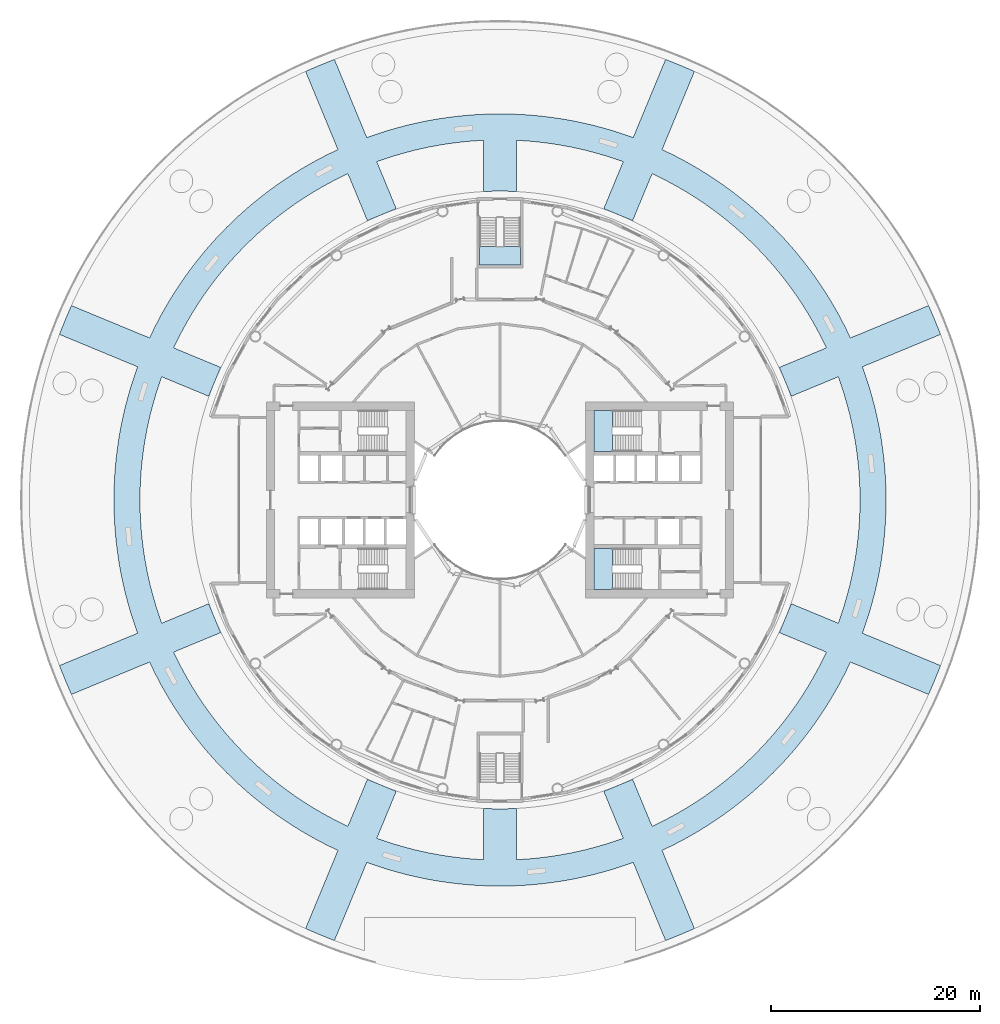
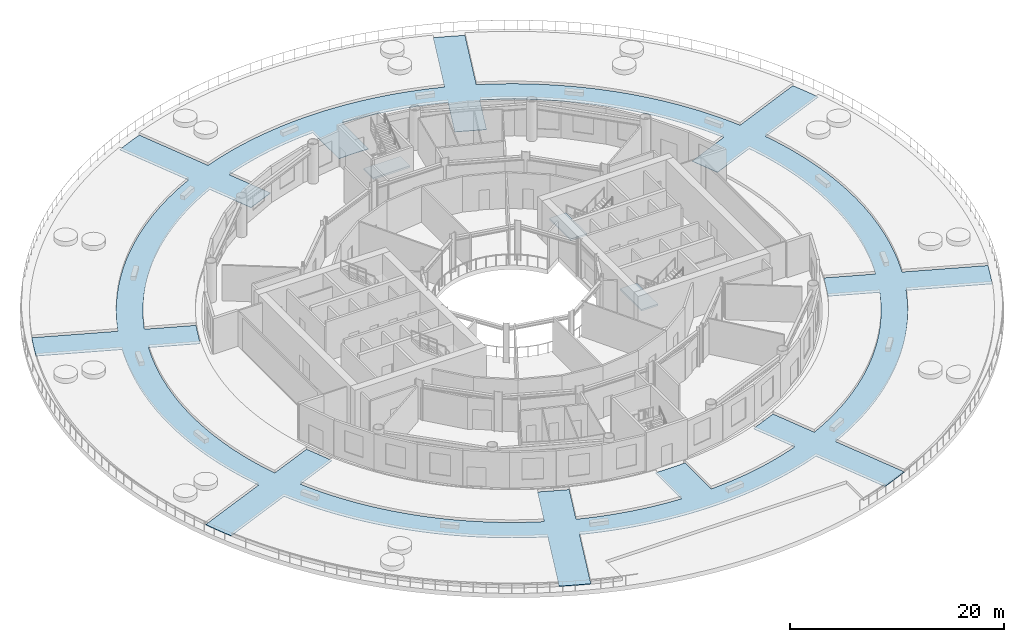
# One storey, part 6 of 19: 4 slabs, 3 elements without a shape of their own.
"""IFC4 building model written with IfcOpenShell, lengths in metres."""

from ifc_helpers import new_model, si_unit, direction, frame, origin, place, context, subcontext, project, spatial, polyline, outline, extrude, material, layer, layer_set, type_object, element, aggregate, save


model = new_model("IFC4")

# Units and contexts
model_context = context("Model", 3, precision=1e-05, world=origin(), true_north=direction((0.0, 1.0)))
body_context = subcontext(model_context, "Body", "Model", "MODEL_VIEW")
ifc_project = project(units=[si_unit("LENGTHUNIT", "METRE"), si_unit("AREAUNIT", "SQUARE_METRE"), si_unit("VOLUMEUNIT", "CUBIC_METRE"), si_unit("PLANEANGLEUNIT", "RADIAN"), si_unit("MASSUNIT", "GRAM", prefix="KILO")], contexts=[model_context])

# Site, building, storey
site_placement = place(None, origin())
site = spatial("IfcSite", under=ifc_project, at=site_placement, CompositionType="ELEMENT")
building_placement = place(site_placement, origin())
building = spatial("IfcBuilding", under=site, at=building_placement, Name="Maasbend Ring Residences", CompositionType="ELEMENT")
storey_placement = place(building_placement, frame((0.0, 0.0, 9.60009765625)))
storey = spatial("IfcBuildingStorey", under=building, at=storey_placement, Name="L02", CompositionType="ELEMENT", Elevation=9.60009765625)

# Stair, slab
ifc_material_1 = material(Name="Concrete C40/50", Category="concrete")
stair_type = type_object("IfcStairType", Name="CORE STAIR 24 RISERS", PredefinedType="HALF_TURN_STAIR", material=ifc_material_1)
stair_1_placement = place(storey_placement, origin())
stair_1 = element("IfcStair", 1, at=stair_1_placement, inside=storey, type_object=stair_type, Name="L02 Exit stair ST-E1", PredefinedType="HALF_TURN_STAIR")
ifc_material_2 = material(Name="Concrete C40/50", Category="concrete")
ifc_layer_1 = layer(ifc_material_2, 0.199951171875)
ifc_layer_set_1 = layer_set([ifc_layer_1], Name="Concrete C40/50")
slab_type_1 = type_object("IfcSlabType", Name="CORE STAIR LANDING 200", PredefinedType="LANDING", material=ifc_layer_set_1)
slab_1_placement = place(storey_placement, frame((0.0, 0.0, 2.0498046875)))
slab_1 = element("IfcSlab", 2, at=slab_1_placement, type_object=slab_type_1, Name="ST-E1 landing 1", PredefinedType="LANDING", context=body_context, shape_type="SweptSolid", body=[
    extrude(outline(polyline([(10.800048828125, 8.60009765625), (9.0, 8.60009765625), (9.0, 4.64990234375), (10.800048828125, 4.64990234375), (10.800048828125, 8.60009765625)])), origin(), (0.0, 0.0, 1.0), 0.2001953125),
])
aggregate(stair_1, [slab_1])

stair_2_placement = place(storey_placement, origin())
stair_2 = element("IfcStair", 3, at=stair_2_placement, inside=storey, type_object=stair_type, Name="L02 Exit stair ST-E2", PredefinedType="HALF_TURN_STAIR")
slab_2_placement = place(storey_placement, frame((0.0, 0.0, 2.0498046875)))
slab_2 = element("IfcSlab", 4, at=slab_2_placement, type_object=slab_type_1, Name="ST-E2 landing 1", PredefinedType="LANDING", context=body_context, shape_type="SweptSolid", body=[
    extrude(outline(polyline([(10.800048828125, -4.64990234375), (9.0, -4.64990234375), (9.0, -8.60009765625), (10.800048828125, -8.60009765625), (10.800048828125, -4.64990234375)])), origin(), (0.0, 0.0, 1.0), 0.2001953125),
])
aggregate(stair_2, [slab_2])

stair_3_placement = place(storey_placement, origin())
stair_3 = element("IfcStair", 5, at=stair_3_placement, inside=storey, type_object=stair_type, Name="L02 Exit stair ST-P4", PredefinedType="HALF_TURN_STAIR")
slab_3_placement = place(storey_placement, frame((0.0, 0.0, 2.0498046875)))
slab_3 = element("IfcSlab", 6, at=slab_3_placement, type_object=slab_type_1, Name="ST-P4 landing 1", PredefinedType="LANDING", context=body_context, shape_type="SweptSolid", body=[
    extrude(outline(polyline([(-1.97509765625, 24.300048828125), (-1.97509765625, 22.5), (1.97509765625, 22.5), (1.97509765625, 24.300048828125), (-1.97509765625, 24.300048828125)])), origin(), (0.0, 0.0, 1.0), 0.2001953125),
])
aggregate(stair_3, [slab_3])

# Slab
ifc_material_3 = material(Name="Pale granite paving", Category="masonry")
ifc_layer_2 = layer(ifc_material_3, 0.050048828125)
ifc_layer_set_2 = layer_set([ifc_layer_2], Name="PAVING-DECK")
slab_type_2 = type_object("IfcSlabType", Name="PAVING-DECK", PredefinedType="USERDEFINED", material=ifc_layer_set_2)
slab_4_placement = place(storey_placement, origin())
element("IfcSlab", 7, at=slab_4_placement, inside=storey, type_object=slab_type_2, Name="Garden paving path 1", ObjectType="PAVING", PredefinedType="USERDEFINED", context=body_context, shape_type="SweptSolid", body=[
    extrude(outline(polyline([(-15.532958984375, -33.580078125), (-15.820068359375, -33.447998046875), (-16.364990234375, -33.18408203125), (-16.905029296875, -32.912109375), (-17.44189453125, -32.631103515625), (-17.972900390625, -32.341064453125), (-18.5, -32.04296875), (-19.02197265625, -31.736083984375), (-19.5390625, -31.419921875), (-20.050048828125, -31.096923828125), (-20.555908203125, -30.763916015625), (-21.056884765625, -30.424072265625), (-21.552001953125, -30.074951171875), (-22.041015625, -29.718994140625), (-22.52392578125, -29.35400390625), (-23.0009765625, -28.98193359375), (-23.472900390625, -28.60107421875), (-23.93701171875, -28.214111328125), (-24.39599609375, -27.818115234375), (-24.847900390625, -27.4150390625), (-25.29296875, -27.0048828125), (-25.73095703125, -26.587890625), (-26.1630859375, -26.1630859375), (-26.587890625, -25.73095703125), (-27.0048828125, -25.29296875), (-27.4150390625, -24.847900390625), (-27.818115234375, -24.39599609375), (-28.214111328125, -23.93701171875), (-28.60107421875, -23.472900390625), (-28.98193359375, -23.0009765625), (-29.35400390625, -22.52392578125), (-29.718994140625, -22.041015625), (-30.074951171875, -21.552001953125), (-30.424072265625, -21.056884765625), (-30.763916015625, -20.555908203125), (-31.096923828125, -20.050048828125), (-31.419921875, -19.5390625), (-31.736083984375, -19.02197265625), (-32.04296875, -18.5), (-32.341064453125, -17.972900390625), (-32.631103515625, -17.44189453125), (-32.912109375, -16.905029296875), (-33.18408203125, -16.364990234375), (-33.447998046875, -15.820068359375), (-33.580078125, -15.532958984375), (-41.070068359375, -18.635009765625), (-41.080078125, -18.613037109375), (-41.37890625, -17.93798828125), (-41.6669921875, -17.259033203125), (-41.944091796875, -16.574951171875), (-42.208984375, -15.885986328125), (-42.218017578125, -15.864013671875), (-34.72802734375, -12.760986328125), (-34.8369140625, -12.465087890625), (-35.035888671875, -11.89306640625), (-35.22607421875, -11.318115234375), (-35.406982421875, -10.740966796875), (-35.577880859375, -10.159912109375), (-35.739013671875, -9.575927734375), (-35.89111328125, -8.989990234375), (-36.032958984375, -8.402099609375), (-36.166015625, -7.81103515625), (-36.2890625, -7.218017578125), (-36.402099609375, -6.6240234375), (-36.506103515625, -6.027099609375), (-36.60009765625, -5.428955078125), (-36.68310546875, -4.8291015625), (-36.758056640625, -4.22900390625), (-36.822021484375, -3.626953125), (-36.8759765625, -3.02392578125), (-36.9208984375, -2.419921875), (-36.955078125, -1.81591796875), (-36.97998046875, -1.2109375), (-36.9951171875, -0.60498046875), (-37.0, 0.0), (-36.9951171875, 0.60498046875), (-36.97998046875, 1.2109375), (-36.955078125, 1.81591796875), (-36.9208984375, 2.419921875), (-36.8759765625, 3.02392578125), (-36.822021484375, 3.626953125), (-36.758056640625, 4.22900390625), (-36.68310546875, 4.8291015625), (-36.60009765625, 5.428955078125), (-36.506103515625, 6.027099609375), (-36.402099609375, 6.6240234375), (-36.2890625, 7.218017578125), (-36.166015625, 7.81103515625), (-36.032958984375, 8.402099609375), (-35.89111328125, 8.989990234375), (-35.739013671875, 9.575927734375), (-35.577880859375, 10.159912109375), (-35.406982421875, 10.740966796875), (-35.22607421875, 11.318115234375), (-35.035888671875, 11.89306640625), (-34.8369140625, 12.465087890625), (-34.72802734375, 12.760986328125), (-42.218017578125, 15.864013671875), (-42.208984375, 15.885986328125), (-41.944091796875, 16.574951171875), (-41.6669921875, 17.259033203125), (-41.37890625, 17.93798828125), (-41.080078125, 18.613037109375), (-41.070068359375, 18.635009765625), (-33.580078125, 15.532958984375), (-33.447998046875, 15.820068359375), (-33.18408203125, 16.364990234375), (-32.912109375, 16.905029296875), (-32.631103515625, 17.44189453125), (-32.341064453125, 17.972900390625), (-32.04296875, 18.5), (-31.736083984375, 19.02197265625), (-31.419921875, 19.5390625), (-31.096923828125, 20.050048828125), (-30.763916015625, 20.555908203125), (-30.424072265625, 21.056884765625), (-30.074951171875, 21.552001953125), (-29.718994140625, 22.041015625), (-29.35400390625, 22.52392578125), (-28.98193359375, 23.0009765625), (-28.60107421875, 23.472900390625), (-28.214111328125, 23.93701171875), (-27.818115234375, 24.39599609375), (-27.4150390625, 24.847900390625), (-27.0048828125, 25.29296875), (-26.587890625, 25.73095703125), (-26.1630859375, 26.1630859375), (-25.73095703125, 26.587890625), (-25.29296875, 27.0048828125), (-24.847900390625, 27.4150390625), (-24.39599609375, 27.818115234375), (-23.93701171875, 28.214111328125), (-23.472900390625, 28.60107421875), (-23.0009765625, 28.98193359375), (-22.52392578125, 29.35400390625), (-22.041015625, 29.718994140625), (-21.552001953125, 30.074951171875), (-21.056884765625, 30.424072265625), (-20.555908203125, 30.763916015625), (-20.050048828125, 31.096923828125), (-19.5390625, 31.419921875), (-19.02197265625, 31.736083984375), (-18.5, 32.04296875), (-17.972900390625, 32.341064453125), (-17.44189453125, 32.631103515625), (-16.905029296875, 32.912109375), (-16.364990234375, 33.18408203125), (-15.820068359375, 33.447998046875), (-15.532958984375, 33.580078125), (-18.635009765625, 41.070068359375), (-18.613037109375, 41.080078125), (-17.93798828125, 41.37890625), (-17.259033203125, 41.6669921875), (-16.574951171875, 41.944091796875), (-15.885986328125, 42.208984375), (-15.864013671875, 42.218017578125), (-12.760986328125, 34.72802734375), (-12.465087890625, 34.8369140625), (-11.89306640625, 35.035888671875), (-11.318115234375, 35.22607421875), (-10.740966796875, 35.406982421875), (-10.159912109375, 35.577880859375), (-9.575927734375, 35.739013671875), (-8.989990234375, 35.89111328125), (-8.402099609375, 36.032958984375), (-7.81103515625, 36.166015625), (-7.218017578125, 36.2890625), (-6.6240234375, 36.402099609375), (-6.027099609375, 36.506103515625), (-5.428955078125, 36.60009765625), (-4.8291015625, 36.68310546875), (-4.22900390625, 36.758056640625), (-3.626953125, 36.822021484375), (-3.02392578125, 36.8759765625), (-2.419921875, 36.9208984375), (-1.81591796875, 36.955078125), (-1.2109375, 36.97998046875), (-0.60498046875, 36.9951171875), (0.0, 37.0), (0.60498046875, 36.9951171875), (1.2109375, 36.97998046875), (1.81591796875, 36.955078125), (2.419921875, 36.9208984375), (3.02392578125, 36.8759765625), (3.626953125, 36.822021484375), (4.22900390625, 36.758056640625), (4.8291015625, 36.68310546875), (5.428955078125, 36.60009765625), (6.027099609375, 36.506103515625), (6.6240234375, 36.402099609375), (7.218017578125, 36.2890625), (7.81103515625, 36.166015625), (8.402099609375, 36.032958984375), (8.989990234375, 35.89111328125), (9.575927734375, 35.739013671875), (10.159912109375, 35.577880859375), (10.740966796875, 35.406982421875), (11.318115234375, 35.22607421875), (11.89306640625, 35.035888671875), (12.465087890625, 34.8369140625), (12.760986328125, 34.72802734375), (15.864013671875, 42.218017578125), (15.885986328125, 42.208984375), (16.574951171875, 41.944091796875), (17.259033203125, 41.6669921875), (17.93798828125, 41.37890625), (18.613037109375, 41.080078125), (18.635009765625, 41.070068359375), (15.532958984375, 33.580078125), (15.820068359375, 33.447998046875), (16.364990234375, 33.18408203125), (16.905029296875, 32.912109375), (17.44189453125, 32.631103515625), (17.972900390625, 32.341064453125), (18.5, 32.04296875), (19.02197265625, 31.736083984375), (19.5390625, 31.419921875), (20.050048828125, 31.096923828125), (20.555908203125, 30.763916015625), (21.056884765625, 30.424072265625), (21.552001953125, 30.074951171875), (22.041015625, 29.718994140625), (22.52392578125, 29.35400390625), (23.0009765625, 28.98193359375), (23.472900390625, 28.60107421875), (23.93701171875, 28.214111328125), (24.39599609375, 27.818115234375), (24.847900390625, 27.4150390625), (25.29296875, 27.0048828125), (25.73095703125, 26.587890625), (26.1630859375, 26.1630859375), (26.587890625, 25.73095703125), (27.0048828125, 25.29296875), (27.4150390625, 24.847900390625), (27.818115234375, 24.39599609375), (28.214111328125, 23.93701171875), (28.60107421875, 23.472900390625), (28.98193359375, 23.0009765625), (29.35400390625, 22.52392578125), (29.718994140625, 22.041015625), (30.074951171875, 21.552001953125), (30.424072265625, 21.056884765625), (30.763916015625, 20.555908203125), (31.096923828125, 20.050048828125), (31.419921875, 19.5390625), (31.736083984375, 19.02197265625), (32.04296875, 18.5), (32.341064453125, 17.972900390625), (32.631103515625, 17.44189453125), (32.912109375, 16.905029296875), (33.18408203125, 16.364990234375), (33.447998046875, 15.820068359375), (33.580078125, 15.532958984375), (41.070068359375, 18.635009765625), (41.080078125, 18.613037109375), (41.37890625, 17.93798828125), (41.6669921875, 17.259033203125), (41.944091796875, 16.574951171875), (42.208984375, 15.885986328125), (42.218017578125, 15.864013671875), (34.72802734375, 12.760986328125), (34.8369140625, 12.465087890625), (35.035888671875, 11.89306640625), (35.22607421875, 11.318115234375), (35.406982421875, 10.740966796875), (35.577880859375, 10.159912109375), (35.739013671875, 9.575927734375), (35.89111328125, 8.989990234375), (36.032958984375, 8.402099609375), (36.166015625, 7.81103515625), (36.2890625, 7.218017578125), (36.402099609375, 6.6240234375), (36.506103515625, 6.027099609375), (36.60009765625, 5.428955078125), (36.68310546875, 4.8291015625), (36.758056640625, 4.22900390625), (36.822021484375, 3.626953125), (36.8759765625, 3.02392578125), (36.9208984375, 2.419921875), (36.955078125, 1.81591796875), (36.97998046875, 1.2109375), (36.9951171875, 0.60498046875), (37.0, 0.0), (36.9951171875, -0.60498046875), (36.97998046875, -1.2109375), (36.955078125, -1.81591796875), (36.9208984375, -2.419921875), (36.8759765625, -3.02392578125), (36.822021484375, -3.626953125), (36.758056640625, -4.22900390625), (36.68310546875, -4.8291015625), (36.60009765625, -5.428955078125), (36.506103515625, -6.027099609375), (36.402099609375, -6.6240234375), (36.2890625, -7.218017578125), (36.166015625, -7.81103515625), (36.032958984375, -8.402099609375), (35.89111328125, -8.989990234375), (35.739013671875, -9.575927734375), (35.577880859375, -10.159912109375), (35.406982421875, -10.740966796875), (35.22607421875, -11.318115234375), (35.035888671875, -11.89306640625), (34.8369140625, -12.465087890625), (34.72802734375, -12.760986328125), (42.218017578125, -15.864013671875), (42.208984375, -15.885986328125), (41.944091796875, -16.574951171875), (41.6669921875, -17.259033203125), (41.37890625, -17.93798828125), (41.080078125, -18.613037109375), (41.070068359375, -18.635009765625), (33.580078125, -15.532958984375), (33.447998046875, -15.820068359375), (33.18408203125, -16.364990234375), (32.912109375, -16.905029296875), (32.631103515625, -17.44189453125), (32.341064453125, -17.972900390625), (32.04296875, -18.5), (31.736083984375, -19.02197265625), (31.419921875, -19.5390625), (31.096923828125, -20.050048828125), (30.763916015625, -20.555908203125), (30.424072265625, -21.056884765625), (30.074951171875, -21.552001953125), (29.718994140625, -22.041015625), (29.35400390625, -22.52392578125), (28.98193359375, -23.0009765625), (28.60107421875, -23.472900390625), (28.214111328125, -23.93701171875), (27.818115234375, -24.39599609375), (27.4150390625, -24.847900390625), (27.0048828125, -25.29296875), (26.587890625, -25.73095703125), (26.1630859375, -26.1630859375), (25.73095703125, -26.587890625), (25.29296875, -27.0048828125), (24.847900390625, -27.4150390625), (24.39599609375, -27.818115234375), (23.93701171875, -28.214111328125), (23.472900390625, -28.60107421875), (23.0009765625, -28.98193359375), (22.52392578125, -29.35400390625), (22.041015625, -29.718994140625), (21.552001953125, -30.074951171875), (21.056884765625, -30.424072265625), (20.555908203125, -30.763916015625), (20.050048828125, -31.096923828125), (19.5390625, -31.419921875), (19.02197265625, -31.736083984375), (18.5, -32.04296875), (17.972900390625, -32.341064453125), (17.44189453125, -32.631103515625), (16.905029296875, -32.912109375), (16.364990234375, -33.18408203125), (15.820068359375, -33.447998046875), (15.532958984375, -33.580078125), (18.635009765625, -41.070068359375), (18.613037109375, -41.080078125), (17.93798828125, -41.37890625), (17.259033203125, -41.6669921875), (16.574951171875, -41.944091796875), (15.885986328125, -42.208984375), (15.864013671875, -42.218017578125), (12.760986328125, -34.72802734375), (12.465087890625, -34.8369140625), (11.89306640625, -35.035888671875), (11.318115234375, -35.22607421875), (10.740966796875, -35.406982421875), (10.159912109375, -35.577880859375), (9.575927734375, -35.739013671875), (8.989990234375, -35.89111328125), (8.402099609375, -36.032958984375), (7.81103515625, -36.166015625), (7.218017578125, -36.2890625), (6.6240234375, -36.402099609375), (6.027099609375, -36.506103515625), (5.428955078125, -36.60009765625), (4.8291015625, -36.68310546875), (4.22900390625, -36.758056640625), (3.626953125, -36.822021484375), (3.02392578125, -36.8759765625), (2.419921875, -36.9208984375), (1.81591796875, -36.955078125), (1.2109375, -36.97998046875), (0.60498046875, -36.9951171875), (0.0, -37.0), (-0.60498046875, -36.9951171875), (-1.2109375, -36.97998046875), (-1.81591796875, -36.955078125), (-2.419921875, -36.9208984375), (-3.02392578125, -36.8759765625), (-3.626953125, -36.822021484375), (-4.22900390625, -36.758056640625), (-4.8291015625, -36.68310546875), (-5.428955078125, -36.60009765625), (-6.027099609375, -36.506103515625), (-6.6240234375, -36.402099609375), (-7.218017578125, -36.2890625), (-7.81103515625, -36.166015625), (-8.402099609375, -36.032958984375), (-8.989990234375, -35.89111328125), (-9.575927734375, -35.739013671875), (-10.159912109375, -35.577880859375), (-10.740966796875, -35.406982421875), (-11.318115234375, -35.22607421875), (-11.89306640625, -35.035888671875), (-12.465087890625, -34.8369140625), (-12.760986328125, -34.72802734375), (-15.864013671875, -42.218017578125), (-15.885986328125, -42.208984375), (-16.574951171875, -41.944091796875), (-17.259033203125, -41.6669921875), (-17.93798828125, -41.37890625), (-18.613037109375, -41.080078125), (-18.635009765625, -41.070068359375), (-15.532958984375, -33.580078125)]), holes=[polyline([(-11.090087890625, -32.6689453125), (-10.553955078125, -32.845947265625), (-10.014892578125, -33.013916015625), (-9.472900390625, -33.174072265625), (-8.928955078125, -33.323974609375), (-8.383056640625, -33.466064453125), (-7.833984375, -33.59912109375), (-7.282958984375, -33.721923828125), (-6.73095703125, -33.8369140625), (-6.176025390625, -33.943115234375), (-5.6201171875, -34.0390625), (-5.06201171875, -34.126953125), (-4.5029296875, -34.205078125), (-3.943115234375, -34.27392578125), (-3.382080078125, -34.333984375), (-2.819091796875, -34.385009765625), (-2.256103515625, -34.426025390625), (-1.693115234375, -34.4580078125), (-1.60009765625, -34.4619140625), (-1.60009765625, -29.555908203125), (-1.451904296875, -29.56396484375), (-0.968017578125, -29.583984375), (-0.48388671875, -29.595947265625), (0.0, -29.60009765625), (0.48388671875, -29.595947265625), (0.968017578125, -29.583984375), (1.451904296875, -29.56396484375), (1.60009765625, -29.555908203125), (1.60009765625, -34.4619140625), (1.693115234375, -34.4580078125), (2.256103515625, -34.426025390625), (2.819091796875, -34.385009765625), (3.382080078125, -34.333984375), (3.943115234375, -34.27392578125), (4.5029296875, -34.205078125), (5.06201171875, -34.126953125), (5.6201171875, -34.0390625), (6.176025390625, -33.943115234375), (6.73095703125, -33.8369140625), (7.282958984375, -33.721923828125), (7.833984375, -33.59912109375), (8.383056640625, -33.466064453125), (8.928955078125, -33.323974609375), (9.472900390625, -33.174072265625), (10.014892578125, -33.013916015625), (10.553955078125, -32.845947265625), (11.090087890625, -32.6689453125), (11.623046875, -32.48291015625), (11.803955078125, -32.4169921875), (9.94189453125, -27.9208984375), (11.326904296875, -27.346923828125), (12.712890625, -26.77294921875), (14.575927734375, -31.26904296875), (14.7509765625, -31.18798828125), (15.259033203125, -30.94189453125), (15.762939453125, -30.68798828125), (16.262939453125, -30.426025390625), (16.759033203125, -30.156005859375), (17.25, -29.8779296875), (17.737060546875, -29.592041015625), (18.218017578125, -29.297119140625), (18.695068359375, -28.9951171875), (19.1669921875, -28.68603515625), (19.634033203125, -28.367919921875), (20.094970703125, -28.04296875), (20.552001953125, -27.7109375), (21.001953125, -27.37109375), (21.447021484375, -27.02294921875), (21.886962890625, -26.6689453125), (22.320068359375, -26.306884765625), (22.7470703125, -25.93798828125), (23.1689453125, -25.56298828125), (23.583984375, -25.179931640625), (23.992919921875, -24.791015625), (24.39501953125, -24.39501953125), (24.791015625, -23.992919921875), (25.179931640625, -23.583984375), (25.56298828125, -23.1689453125), (25.93798828125, -22.7470703125), (26.306884765625, -22.320068359375), (26.6689453125, -21.886962890625), (27.02294921875, -21.447021484375), (27.37109375, -21.001953125), (27.7109375, -20.552001953125), (28.04296875, -20.094970703125), (28.367919921875, -19.634033203125), (28.68603515625, -19.1669921875), (28.9951171875, -18.695068359375), (29.297119140625, -18.218017578125), (29.592041015625, -17.737060546875), (29.8779296875, -17.25), (30.156005859375, -16.759033203125), (30.426025390625, -16.262939453125), (30.68798828125, -15.762939453125), (30.94189453125, -15.259033203125), (31.18798828125, -14.7509765625), (31.26904296875, -14.575927734375), (26.77294921875, -12.712890625), (27.346923828125, -11.326904296875), (27.9208984375, -9.94189453125), (32.4169921875, -11.803955078125), (32.48291015625, -11.623046875), (32.6689453125, -11.090087890625), (32.845947265625, -10.553955078125), (33.013916015625, -10.014892578125), (33.174072265625, -9.472900390625), (33.323974609375, -8.928955078125), (33.466064453125, -8.383056640625), (33.59912109375, -7.833984375), (33.721923828125, -7.282958984375), (33.8369140625, -6.73095703125), (33.943115234375, -6.176025390625), (34.0390625, -5.6201171875), (34.126953125, -5.06201171875), (34.205078125, -4.5029296875), (34.27392578125, -3.943115234375), (34.333984375, -3.382080078125), (34.385009765625, -2.819091796875), (34.426025390625, -2.256103515625), (34.4580078125, -1.693115234375), (34.48193359375, -1.12890625), (34.4951171875, -0.56396484375), (34.5, 0.0), (34.4951171875, 0.56396484375), (34.48193359375, 1.12890625), (34.4580078125, 1.693115234375), (34.426025390625, 2.256103515625), (34.385009765625, 2.819091796875), (34.333984375, 3.382080078125), (34.27392578125, 3.943115234375), (34.205078125, 4.5029296875), (34.126953125, 5.06201171875), (34.0390625, 5.6201171875), (33.943115234375, 6.176025390625), (33.8369140625, 6.73095703125), (33.721923828125, 7.282958984375), (33.59912109375, 7.833984375), (33.466064453125, 8.383056640625), (33.323974609375, 8.928955078125), (33.174072265625, 9.472900390625), (33.013916015625, 10.014892578125), (32.845947265625, 10.553955078125), (32.6689453125, 11.090087890625), (32.48291015625, 11.623046875), (32.4169921875, 11.803955078125), (27.9208984375, 9.94189453125), (27.346923828125, 11.326904296875), (26.77294921875, 12.712890625), (31.26904296875, 14.575927734375), (31.18798828125, 14.7509765625), (30.94189453125, 15.259033203125), (30.68798828125, 15.762939453125), (30.426025390625, 16.262939453125), (30.156005859375, 16.759033203125), (29.8779296875, 17.25), (29.592041015625, 17.737060546875), (29.297119140625, 18.218017578125), (28.9951171875, 18.695068359375), (28.68603515625, 19.1669921875), (28.367919921875, 19.634033203125), (28.04296875, 20.094970703125), (27.7109375, 20.552001953125), (27.37109375, 21.001953125), (27.02294921875, 21.447021484375), (26.6689453125, 21.886962890625), (26.306884765625, 22.320068359375), (25.93798828125, 22.7470703125), (25.56298828125, 23.1689453125), (25.179931640625, 23.583984375), (24.791015625, 23.992919921875), (24.39501953125, 24.39501953125), (23.992919921875, 24.791015625), (23.583984375, 25.179931640625), (23.1689453125, 25.56298828125), (22.7470703125, 25.93798828125), (22.320068359375, 26.306884765625), (21.886962890625, 26.6689453125), (21.447021484375, 27.02294921875), (21.001953125, 27.37109375), (20.552001953125, 27.7109375), (20.094970703125, 28.04296875), (19.634033203125, 28.367919921875), (19.1669921875, 28.68603515625), (18.695068359375, 28.9951171875), (18.218017578125, 29.297119140625), (17.737060546875, 29.592041015625), (17.25, 29.8779296875), (16.759033203125, 30.156005859375), (16.262939453125, 30.426025390625), (15.762939453125, 30.68798828125), (15.259033203125, 30.94189453125), (14.7509765625, 31.18798828125), (14.575927734375, 31.26904296875), (12.712890625, 26.77294921875), (11.326904296875, 27.346923828125), (9.94189453125, 27.9208984375), (11.803955078125, 32.4169921875), (11.623046875, 32.48291015625), (11.090087890625, 32.6689453125), (10.553955078125, 32.845947265625), (10.014892578125, 33.013916015625), (9.472900390625, 33.174072265625), (8.928955078125, 33.323974609375), (8.383056640625, 33.466064453125), (7.833984375, 33.59912109375), (7.282958984375, 33.721923828125), (6.73095703125, 33.8369140625), (6.176025390625, 33.943115234375), (5.6201171875, 34.0390625), (5.06201171875, 34.126953125), (4.5029296875, 34.205078125), (3.943115234375, 34.27392578125), (3.382080078125, 34.333984375), (2.819091796875, 34.385009765625), (2.256103515625, 34.426025390625), (1.693115234375, 34.4580078125), (1.60009765625, 34.4619140625), (1.60009765625, 29.555908203125), (1.451904296875, 29.56396484375), (0.968017578125, 29.583984375), (0.48388671875, 29.595947265625), (0.0, 29.60009765625), (-0.48388671875, 29.595947265625), (-0.968017578125, 29.583984375), (-1.451904296875, 29.56396484375), (-1.60009765625, 29.555908203125), (-1.60009765625, 34.4619140625), (-1.693115234375, 34.4580078125), (-2.256103515625, 34.426025390625), (-2.819091796875, 34.385009765625), (-3.382080078125, 34.333984375), (-3.943115234375, 34.27392578125), (-4.5029296875, 34.205078125), (-5.06201171875, 34.126953125), (-5.6201171875, 34.0390625), (-6.176025390625, 33.943115234375), (-6.73095703125, 33.8369140625), (-7.282958984375, 33.721923828125), (-7.833984375, 33.59912109375), (-8.383056640625, 33.466064453125), (-8.928955078125, 33.323974609375), (-9.472900390625, 33.174072265625), (-10.014892578125, 33.013916015625), (-10.553955078125, 32.845947265625), (-11.090087890625, 32.6689453125), (-11.623046875, 32.48291015625), (-11.803955078125, 32.4169921875), (-9.94189453125, 27.9208984375), (-11.326904296875, 27.346923828125), (-12.712890625, 26.77294921875), (-14.575927734375, 31.26904296875), (-14.7509765625, 31.18798828125), (-15.259033203125, 30.94189453125), (-15.762939453125, 30.68798828125), (-16.262939453125, 30.426025390625), (-16.759033203125, 30.156005859375), (-17.25, 29.8779296875), (-17.737060546875, 29.592041015625), (-18.218017578125, 29.297119140625), (-18.695068359375, 28.9951171875), (-19.1669921875, 28.68603515625), (-19.634033203125, 28.367919921875), (-20.094970703125, 28.04296875), (-20.552001953125, 27.7109375), (-21.001953125, 27.37109375), (-21.447021484375, 27.02294921875), (-21.886962890625, 26.6689453125), (-22.320068359375, 26.306884765625), (-22.7470703125, 25.93798828125), (-23.1689453125, 25.56298828125), (-23.583984375, 25.179931640625), (-23.992919921875, 24.791015625), (-24.39501953125, 24.39501953125), (-24.791015625, 23.992919921875), (-25.179931640625, 23.583984375), (-25.56298828125, 23.1689453125), (-25.93798828125, 22.7470703125), (-26.306884765625, 22.320068359375), (-26.6689453125, 21.886962890625), (-27.02294921875, 21.447021484375), (-27.37109375, 21.001953125), (-27.7109375, 20.552001953125), (-28.04296875, 20.094970703125), (-28.367919921875, 19.634033203125), (-28.68603515625, 19.1669921875), (-28.9951171875, 18.695068359375), (-29.297119140625, 18.218017578125), (-29.592041015625, 17.737060546875), (-29.8779296875, 17.25), (-30.156005859375, 16.759033203125), (-30.426025390625, 16.262939453125), (-30.68798828125, 15.762939453125), (-30.94189453125, 15.259033203125), (-31.18798828125, 14.7509765625), (-31.26904296875, 14.575927734375), (-26.77294921875, 12.712890625), (-27.346923828125, 11.326904296875), (-27.9208984375, 9.94189453125), (-32.4169921875, 11.803955078125), (-32.48291015625, 11.623046875), (-32.6689453125, 11.090087890625), (-32.845947265625, 10.553955078125), (-33.013916015625, 10.014892578125), (-33.174072265625, 9.472900390625), (-33.323974609375, 8.928955078125), (-33.466064453125, 8.383056640625), (-33.59912109375, 7.833984375), (-33.721923828125, 7.282958984375), (-33.8369140625, 6.73095703125), (-33.943115234375, 6.176025390625), (-34.0390625, 5.6201171875), (-34.126953125, 5.06201171875), (-34.205078125, 4.5029296875), (-34.27392578125, 3.943115234375), (-34.333984375, 3.382080078125), (-34.385009765625, 2.819091796875), (-34.426025390625, 2.256103515625), (-34.4580078125, 1.693115234375), (-34.48193359375, 1.12890625), (-34.4951171875, 0.56396484375), (-34.5, 0.0), (-34.4951171875, -0.56396484375), (-34.48193359375, -1.12890625), (-34.4580078125, -1.693115234375), (-34.426025390625, -2.256103515625), (-34.385009765625, -2.819091796875), (-34.333984375, -3.382080078125), (-34.27392578125, -3.943115234375), (-34.205078125, -4.5029296875), (-34.126953125, -5.06201171875), (-34.0390625, -5.6201171875), (-33.943115234375, -6.176025390625), (-33.8369140625, -6.73095703125), (-33.721923828125, -7.282958984375), (-33.59912109375, -7.833984375), (-33.466064453125, -8.383056640625), (-33.323974609375, -8.928955078125), (-33.174072265625, -9.472900390625), (-33.013916015625, -10.014892578125), (-32.845947265625, -10.553955078125), (-32.6689453125, -11.090087890625), (-32.48291015625, -11.623046875), (-32.4169921875, -11.803955078125), (-27.9208984375, -9.94189453125), (-27.346923828125, -11.326904296875), (-26.77294921875, -12.712890625), (-31.26904296875, -14.575927734375), (-31.18798828125, -14.7509765625), (-30.94189453125, -15.259033203125), (-30.68798828125, -15.762939453125), (-30.426025390625, -16.262939453125), (-30.156005859375, -16.759033203125), (-29.8779296875, -17.25), (-29.592041015625, -17.737060546875), (-29.297119140625, -18.218017578125), (-28.9951171875, -18.695068359375), (-28.68603515625, -19.1669921875), (-28.367919921875, -19.634033203125), (-28.04296875, -20.094970703125), (-27.7109375, -20.552001953125), (-27.37109375, -21.001953125), (-27.02294921875, -21.447021484375), (-26.6689453125, -21.886962890625), (-26.306884765625, -22.320068359375), (-25.93798828125, -22.7470703125), (-25.56298828125, -23.1689453125), (-25.179931640625, -23.583984375), (-24.791015625, -23.992919921875), (-24.39501953125, -24.39501953125), (-23.992919921875, -24.791015625), (-23.583984375, -25.179931640625), (-23.1689453125, -25.56298828125), (-22.7470703125, -25.93798828125), (-22.320068359375, -26.306884765625), (-21.886962890625, -26.6689453125), (-21.447021484375, -27.02294921875), (-21.001953125, -27.37109375), (-20.552001953125, -27.7109375), (-20.094970703125, -28.04296875), (-19.634033203125, -28.367919921875), (-19.1669921875, -28.68603515625), (-18.695068359375, -28.9951171875), (-18.218017578125, -29.297119140625), (-17.737060546875, -29.592041015625), (-17.25, -29.8779296875), (-16.759033203125, -30.156005859375), (-16.262939453125, -30.426025390625), (-15.762939453125, -30.68798828125), (-15.259033203125, -30.94189453125), (-14.7509765625, -31.18798828125), (-14.575927734375, -31.26904296875), (-12.712890625, -26.77294921875), (-11.326904296875, -27.346923828125), (-9.94189453125, -27.9208984375), (-11.803955078125, -32.4169921875), (-11.623046875, -32.48291015625), (-11.090087890625, -32.6689453125)])]), origin(), (0.0, 0.0, 1.0), 0.0498046875),
])

save(model, "model.ifc")
